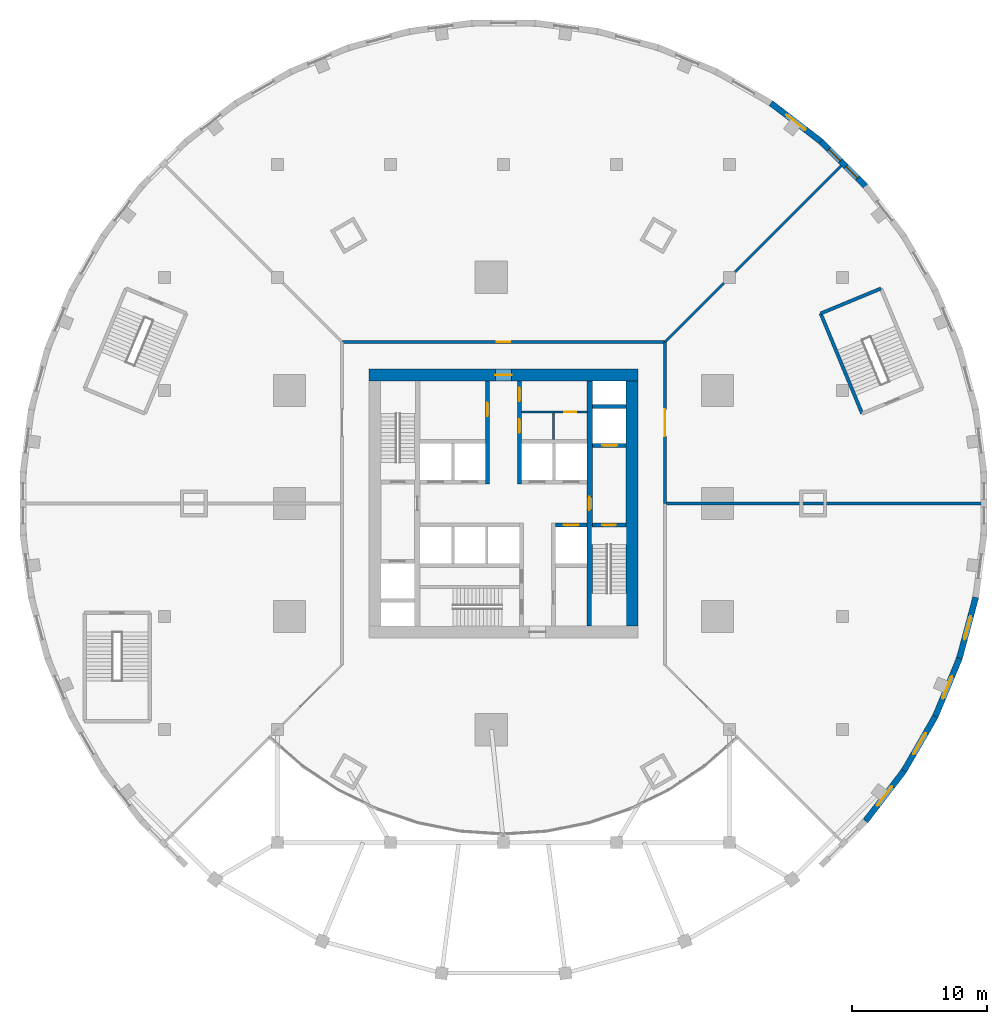
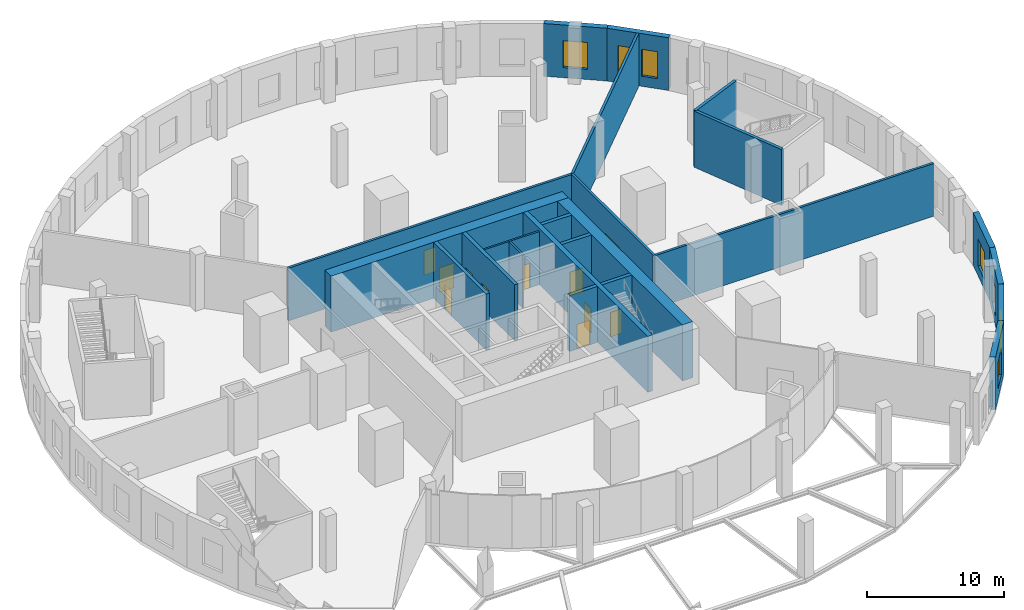
# One storey, part 6 of 11: 23 walls, 11 doors, 7 windows, 18 openings.
"""IFC4 building model written with IfcOpenShell, lengths in metres."""

from ifc_helpers import new_model, si_unit, direction, frame, frame_2d, origin, place, context, subcontext, project, spatial, rectangle, extrude, material, layer, layer_set, type_object, element, fill, save


model = new_model("IFC4")

# Units and contexts
model_context = context("Model", 3, precision=1e-05, world=origin(), true_north=direction((0.0, 1.0)))
body_context = subcontext(model_context, "Body", "Model", "MODEL_VIEW")
ifc_project = project(units=[si_unit("LENGTHUNIT", "METRE"), si_unit("AREAUNIT", "SQUARE_METRE"), si_unit("VOLUMEUNIT", "CUBIC_METRE"), si_unit("PLANEANGLEUNIT", "RADIAN"), si_unit("MASSUNIT", "GRAM", prefix="KILO")], contexts=[model_context])

# Site, building, storey
site_placement = place(None, origin())
site = spatial("IfcSite", under=ifc_project, at=site_placement, CompositionType="ELEMENT")
building_placement = place(site_placement, origin())
building = spatial("IfcBuilding", under=site, at=building_placement, Name="Golbaran Civic Tower", CompositionType="ELEMENT")
storey_placement = place(building_placement, frame((0.0, 0.0, 11.0)))
storey = spatial("IfcBuildingStorey", under=building, at=storey_placement, Name="L02", CompositionType="ELEMENT", Elevation=11.0)

# Wall, opening, door
ifc_material_1 = material(Name="Concrete block", Category="concrete")
ifc_layer_1 = layer(ifc_material_1, 0.14990234375, Name="Concrete block")
ifc_layer_set_1 = layer_set([ifc_layer_1], Name="Concrete block")
wall_type_1 = type_object("IfcWallType", Name="BLOCKWORK PARTITION 150", PredefinedType="PARTITIONING", material=ifc_layer_set_1)
wall_1_placement = place(storey_placement, frame((1.35009765625, 6.800048828125, 0.0), z_axis=(0.0, 0.0, 1.0), x_axis=(1.0, 0.0, 0.0)))
wall_1 = element("IfcWall", 1, at=wall_1_placement, inside=storey, type_object=wall_type_1, Name="Toilet block partition TN1 L02", PredefinedType="PARTITIONING", context=body_context, shape_type="SweptSolid", body=[
    extrude(rectangle(XDim=4.849853515625, YDim=0.14990234375, at=frame_2d((2.4248046875, 0.0))), origin(), (0.0, 0.0, 1.0), 4.75),
])
opening_1_placement = place(wall_1_placement, frame((3.14990234375, 0.0, 0.0)))
opening_1 = element("IfcOpeningElement", 2, at=opening_1_placement, cuts=wall_1, Name="Opening L02.CLN", PredefinedType="OPENING", context=body_context, shape_type="SweptSolid", body=[
    extrude(rectangle(XDim=0.89990234375, YDim=2.199951171875, at=frame_2d((0.449951171875, 1.10009765625))), frame((0.0, 0.0849609375, 0.0), z_axis=(0.0, -1.0, 0.0), x_axis=(1.0, 0.0, 0.0)), (0.0, 0.0, 1.0), 0.169921875),
])
ifc_material_2 = material(Name="Timber door set in steel frame", Category="steel")
door_type_1 = type_object("IfcDoorType", Name="RISER DOOR 900x2200", OperationType="SINGLE_SWING_LEFT", PredefinedType="DOOR", material=ifc_material_2)
door_1_placement = place(opening_1_placement, origin())
door_1 = element("IfcDoor", 3, at=door_1_placement, inside=storey, type_object=door_type_1, Name="Cleaner's Store door", OperationType="SINGLE_SWING_RIGHT", OverallHeight=2.199951171875, OverallWidth=0.89990234375, PredefinedType="DOOR", context=body_context, shape_type="SweptSolid", body=[
    extrude(rectangle(XDim=0.89990234375, YDim=2.199951171875, at=frame_2d((0.449951171875, 1.10009765625))), frame((0.0, 0.02490234375, 0.0), z_axis=(0.0, -1.0, 0.0), x_axis=(1.0, 0.0, 0.0)), (0.0, 0.0, 1.0), 0.050048828125),
])
fill(opening_1, door_1)

# Wall
wall_2_placement = place(storey_placement, frame((3.699951171875, 4.75, 0.0), z_axis=(0.0, 0.0, 1.0), x_axis=(0.0, 1.0, 0.0)))
element("IfcWall", 4, at=wall_2_placement, inside=storey, type_object=wall_type_1, Name="Toilet block partition TN2 L02", PredefinedType="PARTITIONING", context=body_context, shape_type="SweptSolid", body=[
    extrude(rectangle(XDim=1.97509765625, YDim=0.14990234375, at=frame_2d((0.987548828125, 0.0))), origin(), (0.0, 0.0, 1.0), 4.75),
])

# Wall, opening, door
ifc_material_3 = material(Name="Concrete C50/60", Category="concrete")
ifc_layer_2 = layer(ifc_material_3, 0.39990234375, Name="Concrete C50/60")
ifc_layer_set_2 = layer_set([ifc_layer_2], Name="Concrete C50/60")
wall_type_2 = type_object("IfcWallType", Name="CORE WALL CONCRETE 400", PredefinedType="SOLIDWALL", material=ifc_layer_set_2)
wall_3_placement = place(storey_placement, frame((6.39990234375, 9.10009765625, 0.0), z_axis=(0.0, 0.0, 1.0), x_axis=(0.0, -1.0, 0.0)))
wall_3 = element("IfcWall", 5, at=wall_3_placement, inside=storey, type_object=wall_type_2, Name="Core wall IE L02", PredefinedType="SOLIDWALL", context=body_context, shape_type="SweptSolid", body=[
    extrude(rectangle(XDim=18.2001953125, YDim=0.39990234375, at=frame_2d((9.10009765625, 0.0))), origin(), (0.0, 0.0, 1.0), 5.0),
])
opening_2_placement = place(wall_3_placement, frame((8.60009765625, 0.0, 0.0)))
opening_2 = element("IfcOpeningElement", 6, at=opening_2_placement, cuts=wall_3, Name="Opening L02.FL2", PredefinedType="OPENING", context=body_context, shape_type="SweptSolid", body=[
    extrude(rectangle(XDim=1.0, YDim=2.199951171875, at=frame_2d((0.5, 1.10009765625))), frame((0.0, 0.2099609375, 0.0), z_axis=(0.0, -1.0, 0.0), x_axis=(1.0, 0.0, 0.0)), (0.0, 0.0, 1.0), 0.419921875),
])
door_type_2 = type_object("IfcDoorType", Name="STAIR DOOR 1000x2200", OperationType="SINGLE_SWING_LEFT", PredefinedType="DOOR", material=ifc_material_2)
door_2_placement = place(opening_2_placement, origin())
door_2 = element("IfcDoor", 7, at=door_2_placement, inside=storey, type_object=door_type_2, Name="Fire-fighting lobby FL2 door", OperationType="SINGLE_SWING_RIGHT", OverallHeight=2.199951171875, OverallWidth=1.0, PredefinedType="DOOR", context=body_context, shape_type="SweptSolid", body=[
    extrude(rectangle(XDim=1.0, YDim=2.199951171875, at=frame_2d((0.5, 1.10009765625))), frame((0.0, 0.02490234375, 0.0), z_axis=(0.0, -1.0, 0.0), x_axis=(1.0, 0.0, 0.0)), (0.0, 0.0, 1.0), 0.050048828125),
])
fill(opening_2, door_2)

ifc_layer_3 = layer(ifc_material_3, 0.89990234375, Name="Concrete C50/60")
ifc_layer_set_3 = layer_set([ifc_layer_3], Name="Concrete C50/60")
wall_type_3 = type_object("IfcWallType", Name="CORE WALL CONCRETE 900", PredefinedType="SOLIDWALL", material=ifc_layer_set_3)
wall_4_placement = place(storey_placement, frame((-10.0, 9.550048828125, 0.0), z_axis=(0.0, 0.0, 1.0), x_axis=(1.0, 0.0, 0.0)))
wall_4 = element("IfcWall", 8, at=wall_4_placement, inside=storey, type_object=wall_type_3, Name="Core wall CN L02", PredefinedType="SOLIDWALL", context=body_context, shape_type="SweptSolid", body=[
    extrude(rectangle(XDim=20.0, YDim=0.89990234375, at=frame_2d((10.0, 0.0))), origin(), (0.0, 0.0, 1.0), 5.0),
])
opening_3_placement = place(wall_4_placement, frame((9.39990234375, 0.0, 0.0)))
opening_3 = element("IfcOpeningElement", 9, at=opening_3_placement, cuts=wall_4, Name="Opening L02.CN", PredefinedType="OPENING", context=body_context, shape_type="SweptSolid", body=[
    extrude(rectangle(XDim=1.199951171875, YDim=2.199951171875, at=frame_2d((0.60009765625, 1.10009765625))), frame((0.0, 0.4599609375, 0.0), z_axis=(0.0, -1.0, 0.0), x_axis=(1.0, 0.0, 0.0)), (0.0, 0.0, 1.0), 0.919921875),
])
door_type_3 = type_object("IfcDoorType", Name="CORE DOOR 1200x2200", OperationType="DOUBLE_DOOR_SINGLE_SWING", PredefinedType="DOOR", material=ifc_material_2)
door_3_placement = place(opening_3_placement, origin())
door_3 = element("IfcDoor", 10, at=door_3_placement, inside=storey, type_object=door_type_3, Name="Core door north", OperationType="DOUBLE_DOOR_SINGLE_SWING", OverallHeight=2.199951171875, OverallWidth=1.199951171875, PredefinedType="DOOR", context=body_context, shape_type="SweptSolid", body=[
    extrude(rectangle(XDim=1.199951171875, YDim=2.199951171875, at=frame_2d((0.60009765625, 1.10009765625))), frame((0.0, 0.02490234375, 0.0), z_axis=(0.0, -1.0, 0.0), x_axis=(1.0, 0.0, 0.0)), (0.0, 0.0, 1.0), 0.050048828125),
])
fill(opening_3, door_3)

# Walls
wall_5_placement = place(storey_placement, frame((9.550048828125, -9.10009765625, 0.0), z_axis=(0.0, 0.0, 1.0), x_axis=(0.0, 1.0, 0.0)))
element("IfcWall", 11, at=wall_5_placement, inside=storey, type_object=wall_type_3, Name="Core wall CE L02", PredefinedType="SOLIDWALL", context=body_context, shape_type="SweptSolid", body=[
    extrude(rectangle(XDim=18.2001953125, YDim=0.89990234375, at=frame_2d((9.10009765625, 0.0))), origin(), (0.0, 0.0, 1.0), 5.0),
])
ifc_material_4 = material(Name="Concrete block, plastered", Category="concrete")
ifc_layer_4 = layer(ifc_material_4, 0.199951171875, Name="Concrete block, plastered")
ifc_layer_set_4 = layer_set([ifc_layer_4], Name="Concrete block, plastered")
wall_type_4 = type_object("IfcWallType", Name="PODIUM PARTITION 200", PredefinedType="PARTITIONING", material=ifc_layer_set_4)
wall_6_placement = place(storey_placement, frame((12.0, 0.0, 0.0), z_axis=(0.0, 0.0, 1.0), x_axis=(1.0, 0.0, 0.0)))
element("IfcWall", 12, at=wall_6_placement, inside=storey, type_object=wall_type_4, Name="Podium partition L02", PredefinedType="PARTITIONING", context=body_context, shape_type="SweptSolid", body=[
    extrude(rectangle(XDim=23.52001953125, YDim=0.199951171875, at=frame_2d((11.760009765625, 0.0))), origin(), (0.0, 0.0, 1.0), 4.699951171875),
])
wall_7_placement = place(storey_placement, frame((12.0, 12.0, 0.0), z_axis=(0.0, 0.0, 1.0), x_axis=(0.707106781187, 0.707106781187, 0.0)))
element("IfcWall", 13, at=wall_7_placement, inside=storey, type_object=wall_type_4, Name="Podium partition L02", PredefinedType="PARTITIONING", context=body_context, shape_type="SweptSolid", body=[
    extrude(rectangle(XDim=18.5546875, YDim=0.199951171875, at=frame_2d((9.27734375, 0.0))), origin(), (0.0, 0.0, 1.0), 4.699951171875),
])

# Wall, opening, door
wall_8_placement = place(storey_placement, frame((12.0, 12.0, 0.0), z_axis=(0.0, 0.0, 1.0), x_axis=(-1.0, 0.0, 0.0)))
wall_8 = element("IfcWall", 14, at=wall_8_placement, inside=storey, type_object=wall_type_4, Name="Podium corridor wall L02", PredefinedType="PARTITIONING", context=body_context, shape_type="SweptSolid", body=[
    extrude(rectangle(XDim=24.0, YDim=0.199951171875, at=frame_2d((12.0, 0.0))), origin(), (0.0, 0.0, 1.0), 4.699951171875),
])
opening_4_placement = place(wall_8_placement, frame((11.5, 0.0, 0.0)))
opening_4 = element("IfcOpeningElement", 15, at=opening_4_placement, cuts=wall_8, Name="Opening L02.01", PredefinedType="OPENING", context=body_context, shape_type="SweptSolid", body=[
    extrude(rectangle(XDim=1.0, YDim=2.199951171875, at=frame_2d((0.5, 1.10009765625))), frame((0.0, 0.10986328125, 0.0), z_axis=(0.0, -1.0, 0.0), x_axis=(1.0, 0.0, 0.0)), (0.0, 0.0, 1.0), 0.219970703125),
])
door_type_4 = type_object("IfcDoorType", Name="OFFICE DOOR 1000x2200", OperationType="SINGLE_SWING_LEFT", PredefinedType="DOOR", material=ifc_material_2)
door_4_placement = place(opening_4_placement, origin())
door_4 = element("IfcDoor", 16, at=door_4_placement, inside=storey, type_object=door_type_4, Name="Ministry Records Office door", OperationType="SINGLE_SWING_RIGHT", OverallHeight=2.199951171875, OverallWidth=1.0, PredefinedType="DOOR", context=body_context, shape_type="SweptSolid", body=[
    extrude(rectangle(XDim=1.0, YDim=2.199951171875, at=frame_2d((0.5, 1.10009765625))), frame((0.0, 0.02490234375, 0.0), z_axis=(0.0, -1.0, 0.0), x_axis=(1.0, 0.0, 0.0)), (0.0, 0.0, 1.0), 0.050048828125),
])
fill(opening_4, door_4)

wall_9_placement = place(storey_placement, frame((12.0, 0.0, 0.0), z_axis=(0.0, 0.0, 1.0), x_axis=(0.0, 1.0, 0.0)))
wall_9 = element("IfcWall", 17, at=wall_9_placement, inside=storey, type_object=wall_type_4, Name="Podium corridor wall L02", PredefinedType="PARTITIONING", context=body_context, shape_type="SweptSolid", body=[
    extrude(rectangle(XDim=12.0, YDim=0.199951171875, at=frame_2d((6.0, 0.0))), origin(), (0.0, 0.0, 1.0), 4.699951171875),
])
opening_5_placement = place(wall_9_placement, frame((5.0, 0.0, 0.0)))
opening_5 = element("IfcOpeningElement", 18, at=opening_5_placement, cuts=wall_9, Name="Opening L02.02", PredefinedType="OPENING", context=body_context, shape_type="SweptSolid", body=[
    extrude(rectangle(XDim=2.0, YDim=2.39990234375, at=frame_2d((1.0, 1.199951171875))), frame((0.0, 0.10986328125, 0.0), z_axis=(0.0, -1.0, 0.0), x_axis=(1.0, 0.0, 0.0)), (0.0, 0.0, 1.0), 0.219970703125),
])
door_type_5 = type_object("IfcDoorType", Name="PUBLIC DOUBLE DOOR 2000x2400", OperationType="DOUBLE_DOOR_SINGLE_SWING", PredefinedType="DOOR", material=ifc_material_2)
door_5_placement = place(opening_5_placement, origin())
door_5 = element("IfcDoor", 19, at=door_5_placement, inside=storey, type_object=door_type_5, Name="Public Consultation Office 2 door", OperationType="DOUBLE_DOOR_SINGLE_SWING", OverallHeight=2.39990234375, OverallWidth=2.0, PredefinedType="DOOR", context=body_context, shape_type="SweptSolid", body=[
    extrude(rectangle(XDim=2.0, YDim=2.39990234375, at=frame_2d((1.0, 1.199951171875))), frame((0.0, 0.02490234375, 0.0), z_axis=(0.0, -1.0, 0.0), x_axis=(1.0, 0.0, 0.0)), (0.0, 0.0, 1.0), 0.050048828125),
])
fill(opening_5, door_5)

ifc_layer_5 = layer(ifc_material_3, 0.300048828125, Name="Concrete C50/60")
ifc_layer_set_5 = layer_set([ifc_layer_5], Name="Concrete C50/60")
wall_type_5 = type_object("IfcWallType", Name="SHAFT WALL CONCRETE 300", PredefinedType="SOLIDWALL", material=ifc_layer_set_5)
wall_10_placement = place(storey_placement, frame((-1.199951171875, 1.449951171875, 0.0), z_axis=(0.0, 0.0, 1.0), x_axis=(0.0, 1.0, 0.0)))
wall_10 = element("IfcWall", 20, at=wall_10_placement, inside=storey, type_object=wall_type_5, Name="Core wall PNW L02", PredefinedType="SOLIDWALL", context=body_context, shape_type="SweptSolid", body=[
    extrude(rectangle(XDim=7.650146484375, YDim=0.300048828125, at=frame_2d((3.8251953125, 0.0))), origin(), (0.0, 0.0, 1.0), 5.0),
])
opening_6_placement = place(wall_10_placement, frame((5.050048828125, 0.0, 0.0)))
opening_6 = element("IfcOpeningElement", 21, at=opening_6_placement, cuts=wall_10, Name="Opening L02.WCM", PredefinedType="OPENING", context=body_context, shape_type="SweptSolid", body=[
    extrude(rectangle(XDim=1.0, YDim=2.199951171875, at=frame_2d((0.5, 1.10009765625))), frame((0.0, 0.159912109375, 0.0), z_axis=(0.0, -1.0, 0.0), x_axis=(1.0, 0.0, 0.0)), (0.0, 0.0, 1.0), 0.320068359375),
])
door_type_6 = type_object("IfcDoorType", Name="TOILET DOOR 1000x2200", OperationType="SINGLE_SWING_LEFT", PredefinedType="DOOR", material=ifc_material_2)
door_6_placement = place(opening_6_placement, origin())
door_6 = element("IfcDoor", 22, at=door_6_placement, inside=storey, type_object=door_type_6, Name="North-west toilet block door", OperationType="SINGLE_SWING_RIGHT", OverallHeight=2.199951171875, OverallWidth=1.0, PredefinedType="DOOR", context=body_context, shape_type="SweptSolid", body=[
    extrude(rectangle(XDim=1.0, YDim=2.199951171875, at=frame_2d((0.5, 1.10009765625))), frame((0.0, 0.02490234375, 0.0), z_axis=(0.0, -1.0, 0.0), x_axis=(1.0, 0.0, 0.0)), (0.0, 0.0, 1.0), 0.050048828125),
])
fill(opening_6, door_6)

# Wall, openings, doors
wall_11_placement = place(storey_placement, frame((1.199951171875, 1.449951171875, 0.0), z_axis=(0.0, 0.0, 1.0), x_axis=(0.0, 1.0, 0.0)))
wall_11 = element("IfcWall", 23, at=wall_11_placement, inside=storey, type_object=wall_type_5, Name="Core wall PNE L02", PredefinedType="SOLIDWALL", context=body_context, shape_type="SweptSolid", body=[
    extrude(rectangle(XDim=7.650146484375, YDim=0.300048828125, at=frame_2d((3.8251953125, 0.0))), origin(), (0.0, 0.0, 1.0), 5.0),
])
opening_7_placement = place(wall_11_placement, frame((3.800048828125, 0.0, 0.0)))
opening_7 = element("IfcOpeningElement", 24, at=opening_7_placement, cuts=wall_11, Name="Opening L02.WCA", PredefinedType="OPENING", context=body_context, shape_type="SweptSolid", body=[
    extrude(rectangle(XDim=1.0, YDim=2.199951171875, at=frame_2d((0.5, 1.10009765625))), frame((0.0, 0.159912109375, 0.0), z_axis=(0.0, -1.0, 0.0), x_axis=(1.0, 0.0, 0.0)), (0.0, 0.0, 1.0), 0.320068359375),
])
opening_8_placement = place(wall_11_placement, frame((6.14990234375, 0.0, 0.0)))
opening_8 = element("IfcOpeningElement", 25, at=opening_8_placement, cuts=wall_11, Name="Opening L02.WCF", PredefinedType="OPENING", context=body_context, shape_type="SweptSolid", body=[
    extrude(rectangle(XDim=1.0, YDim=2.199951171875, at=frame_2d((0.5, 1.10009765625))), frame((0.0, 0.159912109375, 0.0), z_axis=(0.0, -1.0, 0.0), x_axis=(1.0, 0.0, 0.0)), (0.0, 0.0, 1.0), 0.320068359375),
])
door_7_placement = place(opening_7_placement, origin())
door_7 = element("IfcDoor", 26, at=door_7_placement, inside=storey, type_object=door_type_6, Name="Accessible WC door", OperationType="SINGLE_SWING_RIGHT", OverallHeight=2.199951171875, OverallWidth=1.0, PredefinedType="DOOR", context=body_context, shape_type="SweptSolid", body=[
    extrude(rectangle(XDim=1.0, YDim=2.199951171875, at=frame_2d((0.5, 1.10009765625))), frame((0.0, 0.02490234375, 0.0), z_axis=(0.0, -1.0, 0.0), x_axis=(1.0, 0.0, 0.0)), (0.0, 0.0, 1.0), 0.050048828125),
])
fill(opening_7, door_7)
door_8_placement = place(opening_8_placement, origin())
door_8 = element("IfcDoor", 27, at=door_8_placement, inside=storey, type_object=door_type_6, Name="North-east toilet block door", OperationType="SINGLE_SWING_RIGHT", OverallHeight=2.199951171875, OverallWidth=1.0, PredefinedType="DOOR", context=body_context, shape_type="SweptSolid", body=[
    extrude(rectangle(XDim=1.0, YDim=2.199951171875, at=frame_2d((0.5, 1.10009765625))), frame((0.0, 0.02490234375, 0.0), z_axis=(0.0, -1.0, 0.0), x_axis=(1.0, 0.0, 0.0)), (0.0, 0.0, 1.0), 0.050048828125),
])
fill(opening_8, door_8)

# Wall, opening, door
wall_12_placement = place(storey_placement, frame((3.85009765625, -1.60009765625, 0.0), z_axis=(0.0, 0.0, 1.0), x_axis=(1.0, 0.0, 0.0)))
wall_12 = element("IfcWall", 28, at=wall_12_placement, inside=storey, type_object=wall_type_5, Name="Core wall FSE L02", PredefinedType="SOLIDWALL", context=body_context, shape_type="SweptSolid", body=[
    extrude(rectangle(XDim=2.349853515625, YDim=0.300048828125, at=frame_2d((1.1748046875, 0.0))), origin(), (0.0, 0.0, 1.0), 5.0),
])
opening_9_placement = place(wall_12_placement, frame((0.625, 0.0, 0.0)))
opening_9 = element("IfcOpeningElement", 29, at=opening_9_placement, cuts=wall_12, Name="Opening L02.LD-V1", PredefinedType="OPENING", context=body_context, shape_type="SweptSolid", body=[
    extrude(rectangle(XDim=1.10009765625, YDim=2.199951171875, at=frame_2d((0.550048828125, 1.10009765625))), frame((0.0, 0.159912109375, 0.0), z_axis=(0.0, -1.0, 0.0), x_axis=(1.0, 0.0, 0.0)), (0.0, 0.0, 1.0), 0.320068359375),
])
ifc_material_5 = material(Name="Stainless steel", Category="steel")
door_type_7 = type_object("IfcDoorType", Name="LIFT LANDING DOOR 1100x2200", OperationType="SLIDING_TO_LEFT", PredefinedType="DOOR", material=ifc_material_5)
door_9_placement = place(opening_9_placement, origin())
door_9 = element("IfcDoor", 30, at=door_9_placement, inside=storey, type_object=door_type_7, Name="Lift landing door V1", OperationType="SLIDING_TO_LEFT", OverallHeight=2.199951171875, OverallWidth=1.10009765625, PredefinedType="DOOR", context=body_context, shape_type="SweptSolid", body=[
    extrude(rectangle(XDim=1.10009765625, YDim=2.199951171875, at=frame_2d((0.550048828125, 1.10009765625))), frame((0.0, 0.02490234375, 0.0), z_axis=(0.0, -1.0, 0.0), x_axis=(1.0, 0.0, 0.0)), (0.0, 0.0, 1.0), 0.050048828125),
])
fill(opening_9, door_9)

wall_13_placement = place(storey_placement, frame((6.60009765625, -1.60009765625, 0.0), z_axis=(0.0, 0.0, 1.0), x_axis=(1.0, 0.0, 0.0)))
wall_13 = element("IfcWall", 31, at=wall_13_placement, inside=storey, type_object=wall_type_5, Name="Core wall XE1 L02", PredefinedType="SOLIDWALL", context=body_context, shape_type="SweptSolid", body=[
    extrude(rectangle(XDim=2.5, YDim=0.300048828125, at=frame_2d((1.25, 0.0))), origin(), (0.0, 0.0, 1.0), 5.0),
])
opening_10_placement = place(wall_13_placement, frame((0.75, 0.0, 0.0)))
opening_10 = element("IfcOpeningElement", 32, at=opening_10_placement, cuts=wall_13, Name="Opening L02.S2", PredefinedType="OPENING", context=body_context, shape_type="SweptSolid", body=[
    extrude(rectangle(XDim=1.0, YDim=2.199951171875, at=frame_2d((0.5, 1.10009765625))), frame((0.0, 0.159912109375, 0.0), z_axis=(0.0, -1.0, 0.0), x_axis=(1.0, 0.0, 0.0)), (0.0, 0.0, 1.0), 0.320068359375),
])
door_10_placement = place(opening_10_placement, origin())
door_10 = element("IfcDoor", 33, at=door_10_placement, inside=storey, type_object=door_type_2, Name="Stair S2 door", OperationType="SINGLE_SWING_LEFT", OverallHeight=2.199951171875, OverallWidth=1.0, PredefinedType="DOOR", context=body_context, shape_type="SweptSolid", body=[
    extrude(rectangle(XDim=1.0, YDim=2.199951171875, at=frame_2d((0.5, 1.10009765625))), frame((0.0, 0.02490234375, 0.0), z_axis=(0.0, -1.0, 0.0), x_axis=(1.0, 0.0, 0.0)), (0.0, 0.0, 1.0), 0.050048828125),
])
fill(opening_10, door_10)

wall_14_placement = place(storey_placement, frame((6.60009765625, 4.300048828125, 0.0), z_axis=(0.0, 0.0, 1.0), x_axis=(1.0, 0.0, 0.0)))
wall_14 = element("IfcWall", 34, at=wall_14_placement, inside=storey, type_object=wall_type_5, Name="Core wall XE2 L02", PredefinedType="SOLIDWALL", context=body_context, shape_type="SweptSolid", body=[
    extrude(rectangle(XDim=2.5, YDim=0.300048828125, at=frame_2d((1.25, 0.0))), origin(), (0.0, 0.0, 1.0), 5.0),
])
opening_11_placement = place(wall_14_placement, frame((0.75, 0.0, 0.0)))
opening_11 = element("IfcOpeningElement", 35, at=opening_11_placement, cuts=wall_14, Name="Opening L02.LD-F2", PredefinedType="OPENING", context=body_context, shape_type="SweptSolid", body=[
    extrude(rectangle(XDim=1.10009765625, YDim=2.199951171875, at=frame_2d((0.550048828125, 1.10009765625))), frame((0.0, 0.159912109375, 0.0), z_axis=(0.0, -1.0, 0.0), x_axis=(1.0, 0.0, 0.0)), (0.0, 0.0, 1.0), 0.320068359375),
])
door_11_placement = place(opening_11_placement, origin())
door_11 = element("IfcDoor", 36, at=door_11_placement, inside=storey, type_object=door_type_7, Name="Lift landing door F2", OperationType="SLIDING_TO_LEFT", OverallHeight=2.199951171875, OverallWidth=1.10009765625, PredefinedType="DOOR", context=body_context, shape_type="SweptSolid", body=[
    extrude(rectangle(XDim=1.10009765625, YDim=2.199951171875, at=frame_2d((0.550048828125, 1.10009765625))), frame((0.0, 0.02490234375, 0.0), z_axis=(0.0, -1.0, 0.0), x_axis=(1.0, 0.0, 0.0)), (0.0, 0.0, 1.0), 0.050048828125),
])
fill(opening_11, door_11)

# Walls
wall_15_placement = place(storey_placement, frame((6.60009765625, 7.199951171875, 0.0), z_axis=(0.0, 0.0, 1.0), x_axis=(1.0, 0.0, 0.0)))
element("IfcWall", 37, at=wall_15_placement, inside=storey, type_object=wall_type_5, Name="Core wall XE3 L02", PredefinedType="SOLIDWALL", context=body_context, shape_type="SweptSolid", body=[
    extrude(rectangle(XDim=2.5, YDim=0.300048828125, at=frame_2d((1.25, 0.0))), origin(), (0.0, 0.0, 1.0), 5.0),
])
ifc_layer_6 = layer(ifc_material_3, 0.25, Name="Concrete C50/60")
ifc_layer_set_6 = layer_set([ifc_layer_6], Name="Concrete C50/60")
wall_type_6 = type_object("IfcWallType", Name="STAIR ENCLOSURE WALL CONCRETE 250", PredefinedType="SOLIDWALL", material=ifc_layer_set_6)
wall_16_placement = place(storey_placement, frame((26.646728515625, 6.680908203125, 0.0), z_axis=(0.0, 0.0, 1.0), x_axis=(-0.382689294869, 0.923877104161, 0.0)))
element("IfcWall", 38, at=wall_16_placement, inside=storey, type_object=wall_type_6, Name="Stair P1 enclosure B L02", PredefinedType="SOLIDWALL", context=body_context, shape_type="SweptSolid", body=[
    extrude(rectangle(XDim=8.0498046875, YDim=0.25, at=frame_2d((4.02490234375, 0.0))), origin(), (0.0, 0.0, 1.0), 5.0),
])
wall_17_placement = place(storey_placement, frame((23.566162109375, 14.117919921875, 0.0), z_axis=(0.0, 0.0, 1.0), x_axis=(0.923862828997, 0.382723755727, 0.0)))
element("IfcWall", 39, at=wall_17_placement, inside=storey, type_object=wall_type_6, Name="Stair P1 enclosure C L02", PredefinedType="SOLIDWALL", context=body_context, shape_type="SweptSolid", body=[
    extrude(rectangle(XDim=4.85009765625, YDim=0.25, at=frame_2d((2.425048828125, 0.0))), origin(), (0.0, 0.0, 1.0), 5.0),
])

# Wall, openings, windows
ifc_material_6 = material(Name="Terracotta brick", Category="masonry")
ifc_layer_7 = layer(ifc_material_6, 0.449951171875, Name="Terracotta brick")
ifc_layer_set_7 = layer_set([ifc_layer_7], Name="Terracotta brick")
wall_type_7 = type_object("IfcWallType", Name="TERRACOTTA BRICK FACADE WALL 450", PredefinedType="SOLIDWALL", material=ifc_layer_set_7)
wall_18_placement = place(storey_placement, frame((26.89697265625, 23.588134765625, 0.0), z_axis=(0.0, 0.0, 1.0), x_axis=(-0.707106781187, 0.707106781187, 0.0)))
wall_18 = element("IfcWall", 40, at=wall_18_placement, inside=storey, type_object=wall_type_7, Name="Podium wall L02 facet 6", PredefinedType="SOLIDWALL", context=body_context, shape_type="SweptSolid", body=[
    extrude(rectangle(XDim=4.679443359375, YDim=0.449951171875, at=frame_2d((2.33984375, 0.0))), origin(), (0.0, 0.0, 1.0), 4.699951171875),
])
opening_12_placement = place(wall_18_placement, frame((0.840087890625, 0.0, 0.89990234375)))
opening_12 = element("IfcOpeningElement", 41, at=opening_12_placement, cuts=wall_18, Name="Opening L02.W06", PredefinedType="OPENING", context=body_context, shape_type="SweptSolid", body=[
    extrude(rectangle(XDim=1.199951171875, YDim=2.39990234375, at=frame_2d((0.60009765625, 1.199951171875))), frame((0.0, 0.23486328125, 0.0), z_axis=(0.0, -1.0, 0.0), x_axis=(1.0, 0.0, 0.0)), (0.0, 0.0, 1.0), 0.469970703125),
])
opening_13_placement = place(wall_18_placement, frame((2.639892578125, 0.0, 0.89990234375)))
opening_13 = element("IfcOpeningElement", 42, at=opening_13_placement, cuts=wall_18, Name="Opening L02.W07", PredefinedType="OPENING", context=body_context, shape_type="SweptSolid", body=[
    extrude(rectangle(XDim=1.199951171875, YDim=2.39990234375, at=frame_2d((0.60009765625, 1.199951171875))), frame((0.0, 0.23486328125, 0.0), z_axis=(0.0, -1.0, 0.0), x_axis=(1.0, 0.0, 0.0)), (0.0, 0.0, 1.0), 0.469970703125),
])
ifc_material_7 = material(Name="Aluminium frame, clear glass", Category="aluminium")
window_type_1 = type_object("IfcWindowType", Name="PODIUM PAIRED WINDOW 1200x2400", PartitioningType="SINGLE_PANEL", PredefinedType="WINDOW", material=ifc_material_7)
window_1_placement = place(opening_12_placement, origin())
window_1 = element("IfcWindow", 43, at=window_1_placement, inside=storey, type_object=window_type_1, Name="Podium window L02 facet 6a", OverallHeight=2.39990234375, OverallWidth=1.199951171875, PartitioningType="SINGLE_PANEL", PredefinedType="WINDOW", context=body_context, shape_type="SweptSolid", body=[
    extrude(rectangle(XDim=1.199951171875, YDim=2.39990234375, at=frame_2d((0.60009765625, 1.199951171875))), frame((0.0, 0.030029296875, 0.0), z_axis=(0.0, -1.0, 0.0), x_axis=(1.0, 0.0, 0.0)), (0.0, 0.0, 1.0), 0.06005859375),
])
fill(opening_12, window_1)
window_2_placement = place(opening_13_placement, origin())
window_2 = element("IfcWindow", 44, at=window_2_placement, inside=storey, type_object=window_type_1, Name="Podium window L02 facet 6b", OverallHeight=2.39990234375, OverallWidth=1.199951171875, PartitioningType="SINGLE_PANEL", PredefinedType="WINDOW", context=body_context, shape_type="SweptSolid", body=[
    extrude(rectangle(XDim=1.199951171875, YDim=2.39990234375, at=frame_2d((0.60009765625, 1.199951171875))), frame((0.0, 0.030029296875, 0.0), z_axis=(0.0, -1.0, 0.0), x_axis=(1.0, 0.0, 0.0)), (0.0, 0.0, 1.0), 0.06005859375),
])
fill(opening_13, window_2)

# Wall, opening, window
wall_19_placement = place(storey_placement, frame((23.588134765625, 26.89697265625, 0.0), z_axis=(0.0, 0.0, 1.0), x_axis=(-0.79334682721, 0.608769916927, 0.0)))
wall_19 = element("IfcWall", 45, at=wall_19_placement, inside=storey, type_object=wall_type_7, Name="Podium wall L02 facet 7", PredefinedType="SOLIDWALL", context=body_context, shape_type="SweptSolid", body=[
    extrude(rectangle(XDim=4.6796875, YDim=0.449951171875, at=frame_2d((2.33984375, 0.0))), origin(), (0.0, 0.0, 1.0), 4.699951171875),
])
opening_14_placement = place(wall_19_placement, frame((1.439697265625, 0.0, 0.89990234375)))
opening_14 = element("IfcOpeningElement", 46, at=opening_14_placement, cuts=wall_19, Name="Opening L02.W08", PredefinedType="OPENING", context=body_context, shape_type="SweptSolid", body=[
    extrude(rectangle(XDim=1.800048828125, YDim=2.39990234375, at=frame_2d((0.89990234375, 1.199951171875))), frame((0.0, 0.23486328125, 0.0), z_axis=(0.0, -1.0, 0.0), x_axis=(1.0, 0.0, 0.0)), (0.0, 0.0, 1.0), 0.469970703125),
])
window_type_2 = type_object("IfcWindowType", Name="PODIUM WINDOW 1800x2400", PartitioningType="SINGLE_PANEL", PredefinedType="WINDOW", material=ifc_material_7)
window_3_placement = place(opening_14_placement, origin())
window_3 = element("IfcWindow", 47, at=window_3_placement, inside=storey, type_object=window_type_2, Name="Podium window L02 facet 7", OverallHeight=2.39990234375, OverallWidth=1.800048828125, PartitioningType="SINGLE_PANEL", PredefinedType="WINDOW", context=body_context, shape_type="SweptSolid", body=[
    extrude(rectangle(XDim=1.800048828125, YDim=2.39990234375, at=frame_2d((0.89990234375, 1.199951171875))), frame((0.0, 0.030029296875, 0.0), z_axis=(0.0, -1.0, 0.0), x_axis=(1.0, 0.0, 0.0)), (0.0, 0.0, 1.0), 0.06005859375),
])
fill(opening_14, window_3)

wall_20_placement = place(storey_placement, frame((26.89697265625, -23.588134765625, 0.0), z_axis=(0.0, 0.0, 1.0), x_axis=(0.608769916927, 0.79334682721, 0.0)))
wall_20 = element("IfcWall", 48, at=wall_20_placement, inside=storey, type_object=wall_type_7, Name="Podium wall L02 facet 43", PredefinedType="SOLIDWALL", context=body_context, shape_type="SweptSolid", body=[
    extrude(rectangle(XDim=4.6796875, YDim=0.449951171875, at=frame_2d((2.33984375, 0.0))), origin(), (0.0, 0.0, 1.0), 4.699951171875),
])
opening_15_placement = place(wall_20_placement, frame((1.439697265625, 0.0, 0.89990234375)))
opening_15 = element("IfcOpeningElement", 49, at=opening_15_placement, cuts=wall_20, Name="Opening L02.W37", PredefinedType="OPENING", context=body_context, shape_type="SweptSolid", body=[
    extrude(rectangle(XDim=1.800048828125, YDim=2.39990234375, at=frame_2d((0.89990234375, 1.199951171875))), frame((0.0, 0.23486328125, 0.0), z_axis=(0.0, -1.0, 0.0), x_axis=(1.0, 0.0, 0.0)), (0.0, 0.0, 1.0), 0.469970703125),
])
window_4_placement = place(opening_15_placement, origin())
window_4 = element("IfcWindow", 50, at=window_4_placement, inside=storey, type_object=window_type_2, Name="Podium window L02 facet 43", OverallHeight=2.39990234375, OverallWidth=1.800048828125, PartitioningType="SINGLE_PANEL", PredefinedType="WINDOW", context=body_context, shape_type="SweptSolid", body=[
    extrude(rectangle(XDim=1.800048828125, YDim=2.39990234375, at=frame_2d((0.89990234375, 1.199951171875))), frame((0.0, 0.030029296875, 0.0), z_axis=(0.0, -1.0, 0.0), x_axis=(1.0, 0.0, 0.0)), (0.0, 0.0, 1.0), 0.06005859375),
])
fill(opening_15, window_4)

wall_21_placement = place(storey_placement, frame((29.745849609375, -19.87548828125, 0.0), z_axis=(0.0, 0.0, 1.0), x_axis=(0.500022025083, 0.866012687223, 0.0)))
wall_21 = element("IfcWall", 51, at=wall_21_placement, inside=storey, type_object=wall_type_7, Name="Podium wall L02 facet 44", PredefinedType="SOLIDWALL", context=body_context, shape_type="SweptSolid", body=[
    extrude(rectangle(XDim=4.679443359375, YDim=0.449951171875, at=frame_2d((2.33984375, 0.0))), origin(), (0.0, 0.0, 1.0), 4.699951171875),
])
opening_16_placement = place(wall_21_placement, frame((1.439697265625, 0.0, 0.89990234375)))
opening_16 = element("IfcOpeningElement", 52, at=opening_16_placement, cuts=wall_21, Name="Opening L02.W38", PredefinedType="OPENING", context=body_context, shape_type="SweptSolid", body=[
    extrude(rectangle(XDim=1.800048828125, YDim=2.39990234375, at=frame_2d((0.89990234375, 1.199951171875))), frame((0.0, 0.23486328125, 0.0), z_axis=(0.0, -1.0, 0.0), x_axis=(1.0, 0.0, 0.0)), (0.0, 0.0, 1.0), 0.469970703125),
])
window_5_placement = place(opening_16_placement, origin())
window_5 = element("IfcWindow", 53, at=window_5_placement, inside=storey, type_object=window_type_2, Name="Podium window L02 facet 44", OverallHeight=2.39990234375, OverallWidth=1.800048828125, PartitioningType="SINGLE_PANEL", PredefinedType="WINDOW", context=body_context, shape_type="SweptSolid", body=[
    extrude(rectangle(XDim=1.800048828125, YDim=2.39990234375, at=frame_2d((0.89990234375, 1.199951171875))), frame((0.0, 0.030029296875, 0.0), z_axis=(0.0, -1.0, 0.0), x_axis=(1.0, 0.0, 0.0)), (0.0, 0.0, 1.0), 0.06005859375),
])
fill(opening_16, window_5)

wall_22_placement = place(storey_placement, frame((32.085693359375, -15.822998046875, 0.0), z_axis=(0.0, 0.0, 1.0), x_axis=(0.382669718086, 0.923885213032, 0.0)))
wall_22 = element("IfcWall", 54, at=wall_22_placement, inside=storey, type_object=wall_type_7, Name="Podium wall L02 facet 45", PredefinedType="SOLIDWALL", context=body_context, shape_type="SweptSolid", body=[
    extrude(rectangle(XDim=4.6796875, YDim=0.449951171875, at=frame_2d((2.33984375, 0.0))), origin(), (0.0, 0.0, 1.0), 4.699951171875),
])
opening_17_placement = place(wall_22_placement, frame((1.439697265625, 0.0, 0.89990234375)))
opening_17 = element("IfcOpeningElement", 55, at=opening_17_placement, cuts=wall_22, Name="Opening L02.W39", PredefinedType="OPENING", context=body_context, shape_type="SweptSolid", body=[
    extrude(rectangle(XDim=1.800048828125, YDim=2.39990234375, at=frame_2d((0.89990234375, 1.199951171875))), frame((0.0, 0.23486328125, 0.0), z_axis=(0.0, -1.0, 0.0), x_axis=(1.0, 0.0, 0.0)), (0.0, 0.0, 1.0), 0.469970703125),
])
window_6_placement = place(opening_17_placement, origin())
window_6 = element("IfcWindow", 56, at=window_6_placement, inside=storey, type_object=window_type_2, Name="Podium window L02 facet 45", OverallHeight=2.39990234375, OverallWidth=1.800048828125, PartitioningType="SINGLE_PANEL", PredefinedType="WINDOW", context=body_context, shape_type="SweptSolid", body=[
    extrude(rectangle(XDim=1.800048828125, YDim=2.39990234375, at=frame_2d((0.89990234375, 1.199951171875))), frame((0.0, 0.030029296875, 0.0), z_axis=(0.0, -1.0, 0.0), x_axis=(1.0, 0.0, 0.0)), (0.0, 0.0, 1.0), 0.06005859375),
])
fill(opening_17, window_6)

wall_23_placement = place(storey_placement, frame((33.87646484375, -11.49951171875, 0.0), z_axis=(0.0, 0.0, 1.0), x_axis=(0.258815185258, 0.965926860523, 0.0)))
wall_23 = element("IfcWall", 57, at=wall_23_placement, inside=storey, type_object=wall_type_7, Name="Podium wall L02 facet 46", PredefinedType="SOLIDWALL", context=body_context, shape_type="SweptSolid", body=[
    extrude(rectangle(XDim=4.6796875, YDim=0.449951171875, at=frame_2d((2.33984375, 0.0))), origin(), (0.0, 0.0, 1.0), 4.699951171875),
])
opening_18_placement = place(wall_23_placement, frame((1.439697265625, 0.0, 0.89990234375)))
opening_18 = element("IfcOpeningElement", 58, at=opening_18_placement, cuts=wall_23, Name="Opening L02.W40", PredefinedType="OPENING", context=body_context, shape_type="SweptSolid", body=[
    extrude(rectangle(XDim=1.800048828125, YDim=2.39990234375, at=frame_2d((0.89990234375, 1.199951171875))), frame((0.0, 0.23486328125, 0.0), z_axis=(0.0, -1.0, 0.0), x_axis=(1.0, 0.0, 0.0)), (0.0, 0.0, 1.0), 0.469970703125),
])
window_7_placement = place(opening_18_placement, origin())
window_7 = element("IfcWindow", 59, at=window_7_placement, inside=storey, type_object=window_type_2, Name="Podium window L02 facet 46", OverallHeight=2.39990234375, OverallWidth=1.800048828125, PartitioningType="SINGLE_PANEL", PredefinedType="WINDOW", context=body_context, shape_type="SweptSolid", body=[
    extrude(rectangle(XDim=1.800048828125, YDim=2.39990234375, at=frame_2d((0.89990234375, 1.199951171875))), frame((0.0, 0.030029296875, 0.0), z_axis=(0.0, -1.0, 0.0), x_axis=(1.0, 0.0, 0.0)), (0.0, 0.0, 1.0), 0.06005859375),
])
fill(opening_18, window_7)

save(model, "model.ifc")
